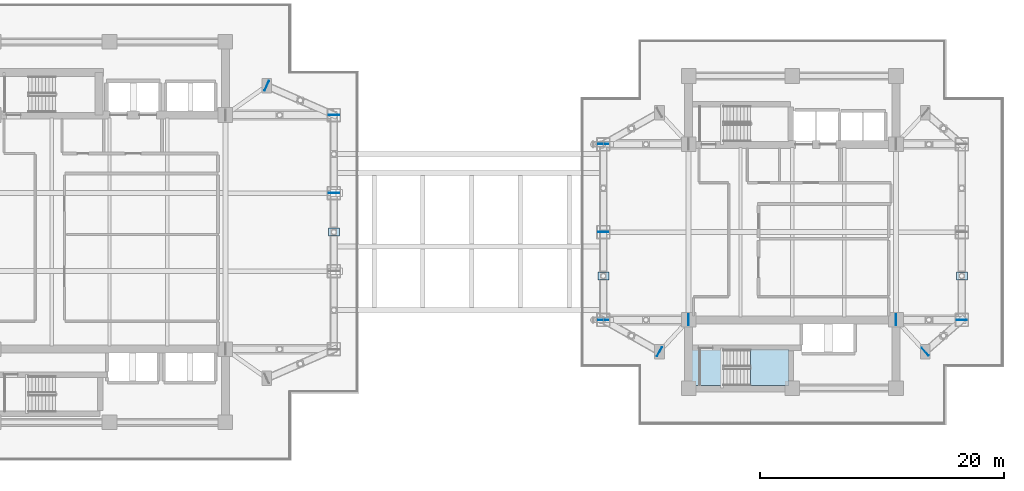
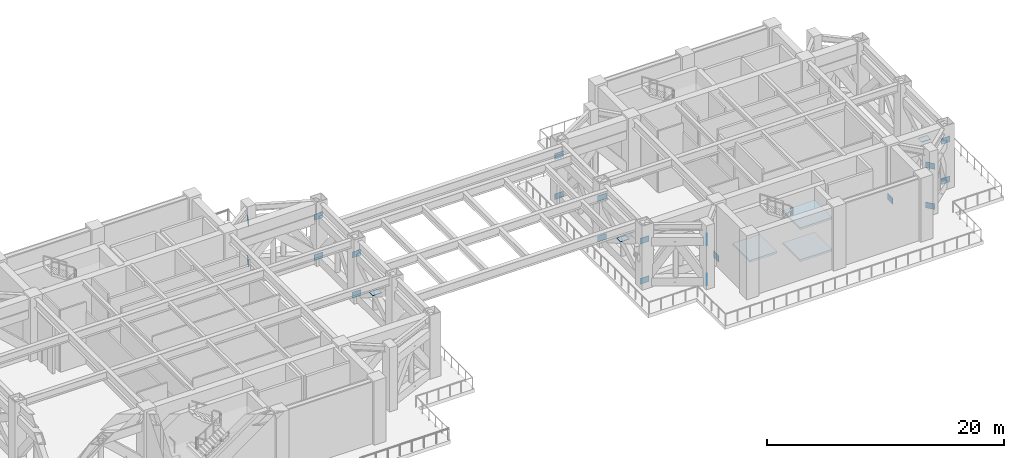
# One storey, part 7 of 21: 23 plates, 3 slabs, 1 element without a shape of its own.
"""IFC4 building model written with IfcOpenShell, lengths in metres."""

from ifc_helpers import new_model, si_unit, direction, frame, origin, origin_2d, place, context, subcontext, project, spatial, polyline, rectangle, outline, extrude, material, layer, layer_set, type_object, element, aggregate, save


model = new_model("IFC4")

# Units and contexts
model_context = context("Model", 3, precision=1e-05, world=origin(), true_north=direction((0.0, 1.0)))
body_context = subcontext(model_context, "Body", "Model", "MODEL_VIEW")
ifc_project = project(units=[si_unit("LENGTHUNIT", "METRE"), si_unit("AREAUNIT", "SQUARE_METRE"), si_unit("VOLUMEUNIT", "CUBIC_METRE"), si_unit("PLANEANGLEUNIT", "RADIAN"), si_unit("MASSUNIT", "GRAM", prefix="KILO")], contexts=[model_context])

# Site, building, storey
site_placement = place(None, origin())
site = spatial("IfcSite", under=ifc_project, at=site_placement, CompositionType="ELEMENT")
building_placement = place(site_placement, origin())
building = spatial("IfcBuilding", under=site, at=building_placement, Name="Mirazonda Arch Towers", CompositionType="ELEMENT")
storey_placement = place(building_placement, frame((0.0, 0.0, 81.800048828125)))
storey = spatial("IfcBuildingStorey", under=building, at=storey_placement, Name="L23", CompositionType="ELEMENT", Elevation=81.800048828125)

# Plates
ifc_material_1 = material(Name="Steel ASTM A572 Grade 50", Category="steel")
ifc_layer_1 = layer(ifc_material_1, 0.035888671875, Name="PLATE-CAP-850x600x36")
ifc_layer_set_1 = layer_set([ifc_layer_1], Name="Steel ASTM A572 Grade 50")
plate_type_1 = type_object("IfcPlateType", Name="PLATE-CAP-850x600x36", PredefinedType="USERDEFINED", material=ifc_layer_set_1)
for number, where, z_axis, x_axis, name in (
    (1, (38.89990234375, 31.2080078125, 0.25), (0.0, 0.0, 1.0), (0.0, 1.0, 0.0), "Steel end closure plate NP-BLT-L23-T1-BC05B"),
    (2, (38.89990234375, 31.2080078125, 4.39990234375), (0.0, 0.0, 1.0), (0.0, 1.0, 0.0), "Steel end closure plate NP-BLT-L23-T1-TC05B"),
    (3, (38.89990234375, 37.60791015625, 0.25), (0.0, 0.0, 1.0), (0.0, 1.0, 0.0), "Steel end closure plate NP-BLT-L23-T1-BC06B"),
    (4, (38.89990234375, 37.60791015625, 4.39990234375), (0.0, 0.0, 1.0), (0.0, 1.0, 0.0), "Steel end closure plate NP-BLT-L23-T1-TC06B"),
    (5, (33.392578125, 40.003173828125, 0.25), (0.0, 0.0, 1.0), (-0.916572226203, 0.399869171297, 0.0), "Steel end closure plate NP-BLT-L23-T1-BC10A"),
    (6, (33.392578125, 40.003173828125, 4.39990234375), (0.0, 0.0, 1.0), (-0.916572226203, 0.399869171297, 0.0), "Steel end closure plate NP-BLT-L23-T1-TC10A"),
    (7, (61.0, 20.7919921875, 0.25), (0.0, 0.0, 1.0), (0.0, -1.0, 0.0), "Steel end closure plate NP-BLT-L23-T2-BC01A"),
    (8, (61.0, 28.008056640625, 0.25), (0.0, 0.0, 1.0), (0.0, 1.0, 0.0), "Steel end closure plate NP-BLT-L23-T2-BC01B"),
    (9, (61.0, 20.7919921875, 4.39990234375), (0.0, 0.0, 1.0), (0.0, -1.0, 0.0), "Steel end closure plate NP-BLT-L23-T2-TC01A"),
    (10, (61.0, 28.008056640625, 4.39990234375), (0.0, 0.0, 1.0), (0.0, 1.0, 0.0), "Steel end closure plate NP-BLT-L23-T2-TC01B"),
    (11, (61.0, 35.2080078125, 0.25), (0.0, 0.0, 1.0), (0.0, 1.0, 0.0), "Steel end closure plate NP-BLT-L23-T2-BC02B"),
    (12, (61.0, 35.2080078125, 4.39990234375), (0.0, 0.0, 1.0), (0.0, 1.0, 0.0), "Steel end closure plate NP-BLT-L23-T2-TC02B"),
    (13, (90.39990234375, 20.7919921875, 0.25), (0.0, 0.0, 1.0), (0.0, -1.0, 0.0), "Steel end closure plate NP-BLT-L23-T2-BC03A"),
    (14, (90.39990234375, 20.7919921875, 4.39990234375), (0.0, 0.0, 1.0), (0.0, -1.0, 0.0), "Steel end closure plate NP-BLT-L23-T2-TC03A"),
    (15, (65.60693359375, 18.196044921875, 0.25), (0.0, 0.0, 1.0), (0.87052753116, -0.492119718658, 0.0), "Steel end closure plate NP-BLT-L23-T2-BC05B"),
    (16, (65.60693359375, 18.196044921875, 4.39990234375), (0.0, 0.0, 1.0), (0.87052753116, -0.492119718658, 0.0), "Steel end closure plate NP-BLT-L23-T2-TC05B"),
    (17, (87.39404296875, 18.19482421875, 0.25), (0.0, 0.0, 1.0), (-0.755739183826, -0.654872725061, 0.0), "Steel end closure plate NP-BLT-L23-T2-BC06A"),
    (18, (87.39404296875, 18.19482421875, 4.39990234375), (0.0, 0.0, 1.0), (-0.755739183826, -0.654872725061, 0.0), "Steel end closure plate NP-BLT-L23-T2-TC06A"),
):
    element("IfcPlate", number, at=place(storey_placement, frame(where, z_axis=z_axis, x_axis=x_axis)), inside=storey, type_object=plate_type_1, Name=name, ObjectType="CAP PLATE", PredefinedType="USERDEFINED", context=body_context, shape_type="SweptSolid", body=[
        extrude(rectangle(XDim=0.0400390625, YDim=0.85009765625, at=origin_2d()), origin(), (0.0, 0.0, 1.0), 0.60009765625),
    ])
ifc_layer_2 = layer(ifc_material_1, 0.031982421875, Name="PLATE-GUSSET-900x650x32")
ifc_layer_set_2 = layer_set([ifc_layer_2], Name="Steel ASTM A572 Grade 50")
plate_type_2 = type_object("IfcPlateType", Name="PLATE-GUSSET-900x650x32", PredefinedType="USERDEFINED", material=ifc_layer_set_2)
for number, where, z_axis, x_axis, name in (
    (19, (38.89990234375, 28.0, 2.613037109375), (0.0, 0.0, 1.0), (1.0, 0.0, 0.0), "Steel end closure plate NP-BLT-L23-T1-XND05"),
    (20, (61.0, 24.39990234375, 2.613037109375), (0.0, 0.0, 1.0), (1.0, 0.0, 0.0), "Steel end closure plate NP-BLT-L23-T2-XND01"),
    (21, (90.39990234375, 24.39990234375, 2.613037109375), (0.0, 0.0, 1.0), (1.0, 0.0, 0.0), "Steel end closure plate NP-BLT-L23-T2-XND03"),
):
    element("IfcPlate", number, at=place(storey_placement, frame(where, z_axis=z_axis, x_axis=x_axis)), inside=storey, type_object=plate_type_2, Name=name, ObjectType="GUSSET_PLATE", PredefinedType="USERDEFINED", context=body_context, shape_type="SweptSolid", body=[
        extrude(rectangle(XDim=0.89990234375, YDim=0.64990234375, at=origin_2d()), origin(), (0.0, 0.0, 1.0), 0.0400390625),
    ])
for number, where, z_axis, x_axis, name in (
    (22, (68.005126953125, 20.800048828125, 0.218994140625), (0.0, 0.0, 1.0), (1.0, 0.0, 0.0), "Steel end closure plate NP-OUT-L23-T2-DG01B0"),
    (23, (84.99560546875, 20.800048828125, 0.21826171875), (0.0, 0.0, 1.0), (-1.0, 0.0, 0.0), "Steel end closure plate NP-OUT-L23-T2-DG02A0"),
):
    element("IfcPlate", number, at=place(storey_placement, frame(where, z_axis=z_axis, x_axis=x_axis)), inside=storey, type_object=plate_type_2, Name=name, ObjectType="GUSSET_PLATE", PredefinedType="USERDEFINED", context=body_context, shape_type="SweptSolid", body=[
        extrude(rectangle(XDim=0.0400390625, YDim=0.89990234375, at=origin_2d()), origin(), (0.0, 0.0, 1.0), 0.64990234375),
    ])

# Stair, slabs
ifc_material_2 = material(Name="Concrete C40/50", Category="concrete")
stair_type = type_object("IfcStairType", Name="STAIR-CORE-1400", PredefinedType="HALF_TURN_STAIR", material=ifc_material_2)
stair_placement = place(storey_placement, origin())
stair = element("IfcStair", 24, at=stair_placement, inside=storey, type_object=stair_type, Name="L23 Protected Exit Stair ST-T2S", PredefinedType="HALF_TURN_STAIR")
ifc_layer_3 = layer(ifc_material_2, 0.18994140625, Name="SLAB-LANDING-190")
ifc_layer_set_3 = layer_set([ifc_layer_3], Name="Concrete C40/50")
slab_type = type_object("IfcSlabType", Name="SLAB-LANDING-190", PredefinedType="LANDING", material=ifc_layer_set_3)
slab_1_placement = place(storey_placement, frame((0.0, 0.0, 1.449951171875)))
slab_1 = element("IfcSlab", 25, at=slab_1_placement, type_object=slab_type, Name="ST-T2S landing 1", PredefinedType="LANDING", context=body_context, shape_type="SweptSolid", body=[
    extrude(outline(polyline([(73.090087890625, 15.419921875), (76.22998046875, 15.419921875), (76.22998046875, 18.360107421875), (73.090087890625, 18.360107421875), (73.090087890625, 15.419921875)])), origin(), (0.0, 0.0, 1.0), 0.199951171875),
])
slab_2_placement = place(storey_placement, frame((0.0, 0.0, 3.099853515625)))
slab_2 = element("IfcSlab", 26, at=slab_2_placement, type_object=slab_type, Name="ST-T2S landing 2", PredefinedType="LANDING", context=body_context, shape_type="SweptSolid", body=[
    extrude(outline(polyline([(68.179931640625, 15.419921875), (70.85009765625, 15.419921875), (70.85009765625, 18.360107421875), (68.179931640625, 18.360107421875), (68.179931640625, 15.419921875)])), origin(), (0.0, 0.0, 1.0), 0.2001953125),
])
slab_3_placement = place(storey_placement, frame((0.0, 0.0, 4.75)))
slab_3 = element("IfcSlab", 27, at=slab_3_placement, type_object=slab_type, Name="ST-T2S landing 3", PredefinedType="LANDING", context=body_context, shape_type="SweptSolid", body=[
    extrude(outline(polyline([(73.090087890625, 15.419921875), (76.22998046875, 15.419921875), (76.22998046875, 18.360107421875), (73.090087890625, 18.360107421875), (73.090087890625, 15.419921875)])), origin(), (0.0, 0.0, 1.0), 0.199951171875),
])
aggregate(stair, [slab_1, slab_2, slab_3])

save(model, "model.ifc")
